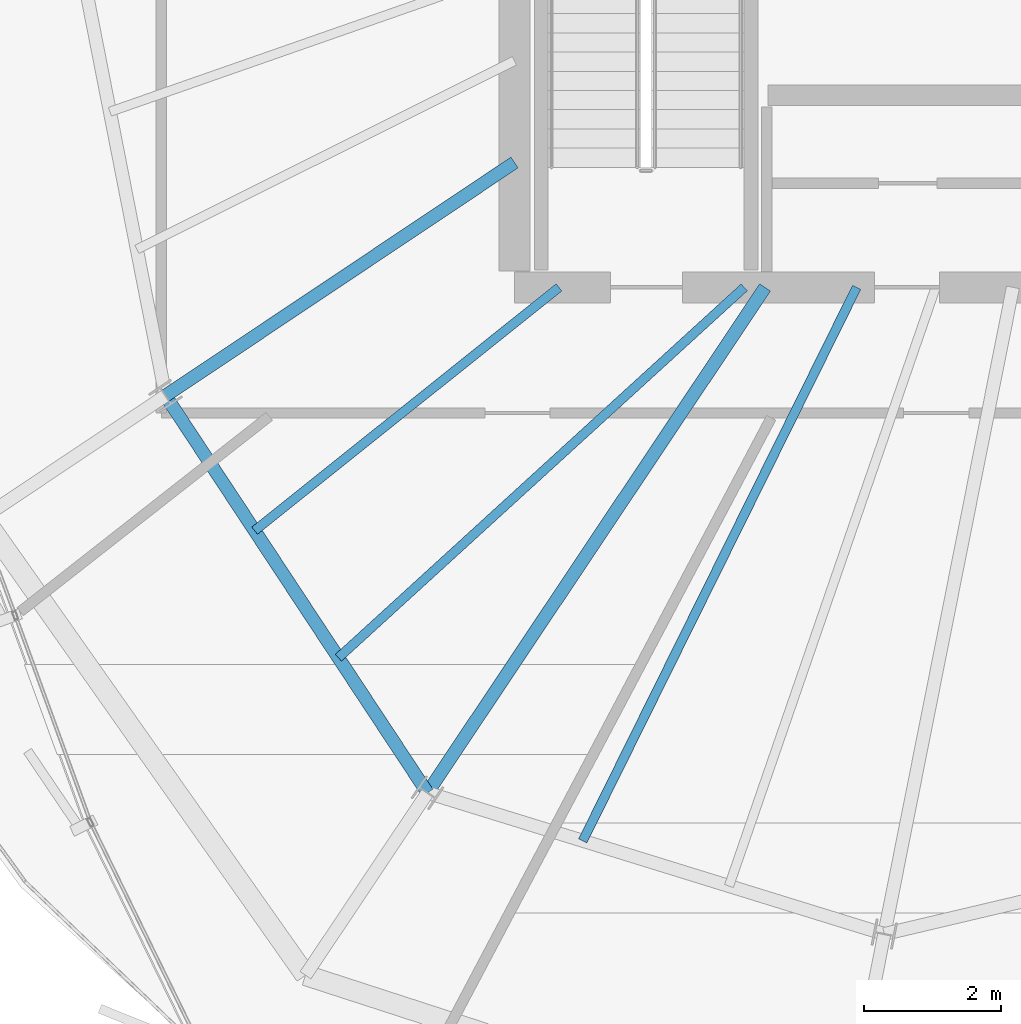
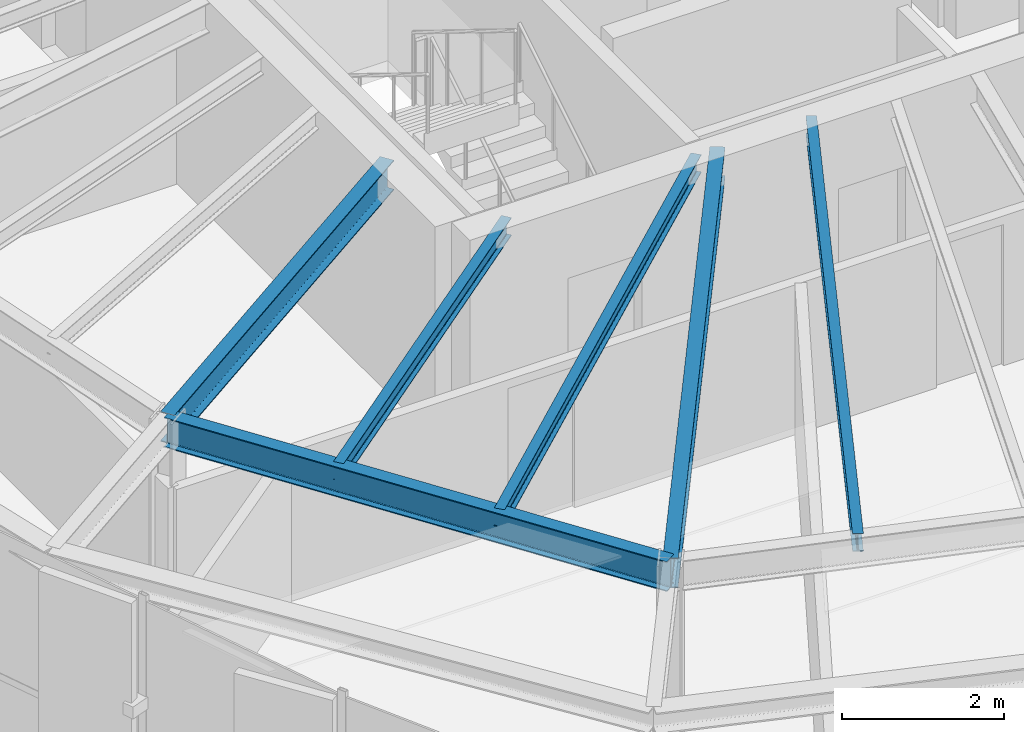
# One storey, part 5 of 32: 6 beams.
"""IFC4 building model written with IfcOpenShell, lengths in metres."""

from ifc_helpers import new_model, si_unit, direction, frame, origin, origin_2d, place, context, subcontext, project, spatial, i_section, extrude, source, transform, mapped, material, material_profile, profile_set, type_object, element, save


model = new_model("IFC4")

# Units and contexts
model_context = context("Model", 3, precision=1e-05, world=origin(), true_north=direction((0.0, 1.0)))
body_context = subcontext(model_context, "Body", "Model", "MODEL_VIEW")
ifc_project = project(units=[si_unit("LENGTHUNIT", "METRE"), si_unit("AREAUNIT", "SQUARE_METRE"), si_unit("VOLUMEUNIT", "CUBIC_METRE"), si_unit("PLANEANGLEUNIT", "RADIAN"), si_unit("MASSUNIT", "GRAM", prefix="KILO"), si_unit("THERMODYNAMICTEMPERATUREUNIT", "KELVIN")], contexts=[model_context])

# Site, building, storey
site_placement = place(None, origin())
site = spatial("IfcSite", under=ifc_project, at=site_placement, CompositionType="ELEMENT")
building_placement = place(site_placement, origin())
building = spatial("IfcBuilding", under=site, at=building_placement, Name="Kethvar Cultural Tower", CompositionType="ELEMENT")
storey_placement = place(building_placement, frame((0.0, 0.0, 252.550048828125)))
storey = spatial("IfcBuildingStorey", under=building, at=storey_placement, Name="L66", CompositionType="ELEMENT", Elevation=252.550048828125)

# Beams
ifc_material = material(Name="Steel S355J2", Category="steel")
ifc_material_profile_1 = material_profile(ifc_material, i_section(OverallWidth=0.18994140625, OverallDepth=0.449951171875, WebThickness=0.009521484375, FlangeThickness=0.0146484375, FilletRadius=0.02099609375, at=origin_2d()), Name="Steel S355J2 — IPE450")
ifc_profile_set_1 = profile_set([ifc_material_profile_1], Name="Steel S355J2 — IPE450")
beam_type_1 = type_object("IfcBeamType", Name="BM-IPE450", PredefinedType="BEAM", material=ifc_profile_set_1)
shared_shape_1 = source(origin(), body_context, "Body", "SweptSolid", [
    extrude(i_section(OverallWidth=0.18994140625, OverallDepth=0.449951171875, WebThickness=0.009521484375, FlangeThickness=0.0146484375, FilletRadius=0.02099609375, at=origin_2d()), origin(), (0.0, 0.0, 1.0), 6.118408203125),
])
beam_1_placement = place(storey_placement, frame((38.0, 21.920166015625, 2.98291015625), z_axis=(-0.831466631282, -0.555574694406, 0.0), x_axis=(0.555574694406, -0.831466631282, 0.0)))
element("IfcBeam", 1, at=beam_1_placement, inside=storey, type_object=beam_type_1, Name="L66 Primary Radial Beam RB-10", PredefinedType="BEAM", context=body_context, shape_type="MappedRepresentation", body=[
    mapped(shared_shape_1, transform((0.0, 0.0, 0.0), scale=1.0)),
])
shared_shape_2 = source(origin(), body_context, "Body", "SweptSolid", [
    extrude(i_section(OverallWidth=0.18994140625, OverallDepth=0.449951171875, WebThickness=0.009521484375, FlangeThickness=0.0146484375, FilletRadius=0.02099609375, at=origin_2d()), origin(), (0.0, 0.0, 1.0), 8.86279296875),
])
beam_2_placement = place(storey_placement, frame((41.655029296875, 20.10009765625, 2.98291015625), z_axis=(-0.555564443415, -0.831473480764, 0.0), x_axis=(0.831473480764, -0.555564443415, 0.0)))
element("IfcBeam", 2, at=beam_2_placement, inside=storey, type_object=beam_type_1, Name="L66 Primary Radial Beam RB-11", PredefinedType="BEAM", context=body_context, shape_type="MappedRepresentation", body=[
    mapped(shared_shape_2, transform((0.0, 0.0, 0.0), scale=1.0)),
])
shared_shape_3 = source(origin(), body_context, "Body", "SweptSolid", [
    extrude(i_section(OverallWidth=0.18994140625, OverallDepth=0.449951171875, WebThickness=0.009521484375, FlangeThickness=0.0146484375, FilletRadius=0.02099609375, at=origin_2d()), origin(), (0.0, 0.0, 1.0), 6.935791015625),
])
beam_3_placement = place(storey_placement, frame((32.912841796875, 18.52099609375, 2.98291015625), z_axis=(0.550534204139, -0.834812607759, 0.0), x_axis=(0.834812607759, 0.550534204139, 0.0)))
element("IfcBeam", 3, at=beam_3_placement, inside=storey, type_object=beam_type_1, Name="L66 Column Ring Tie Beam CR-10", PredefinedType="BEAM", context=body_context, shape_type="MappedRepresentation", body=[
    mapped(shared_shape_3, transform((0.0, 0.0, 0.0), scale=1.0)),
])
ifc_material_profile_2 = material_profile(ifc_material, i_section(OverallWidth=0.135009765625, OverallDepth=0.27001953125, WebThickness=0.006591796875, FlangeThickness=0.01025390625, FilletRadius=0.014892578125, at=origin_2d()), Name="Steel S355J2 — IPE270")
ifc_profile_set_2 = profile_set([ifc_material_profile_2], Name="Steel S355J2 — IPE270")
beam_type_2 = type_object("IfcBeamType", Name="BM-J270", PredefinedType="JOIST", material=ifc_profile_set_2)
shared_shape_4 = source(origin(), body_context, "Body", "SweptSolid", [
    extrude(i_section(OverallWidth=0.135009765625, OverallDepth=0.27001953125, WebThickness=0.006591796875, FlangeThickness=0.01025390625, FilletRadius=0.014892578125, at=origin_2d()), origin(), (0.0, 0.0, 1.0), 5.68212890625),
])
beam_4_placement = place(storey_placement, frame((38.64990234375, 20.10009765625, 3.072998046875), z_axis=(-0.781157957733, -0.624333440615, 0.0), x_axis=(0.624333440615, -0.781157957733, 0.0)))
element("IfcBeam", 4, at=beam_4_placement, inside=storey, type_object=beam_type_2, Name="L66 Composite Floor Joist J-10A", PredefinedType="JOIST", context=body_context, shape_type="MappedRepresentation", body=[
    mapped(shared_shape_4, transform((0.0, 0.0, 0.0), scale=1.0)),
])
shared_shape_5 = source(origin(), body_context, "Body", "SweptSolid", [
    extrude(i_section(OverallWidth=0.135009765625, OverallDepth=0.27001953125, WebThickness=0.006591796875, FlangeThickness=0.01025390625, FilletRadius=0.014892578125, at=origin_2d()), origin(), (0.0, 0.0, 1.0), 8.010986328125),
])
beam_5_placement = place(storey_placement, frame((41.35009765625, 20.10009765625, 3.072998046875), z_axis=(-0.738614798856, -0.674127717061, 0.0), x_axis=(0.674127717061, -0.738614798856, 0.0)))
element("IfcBeam", 5, at=beam_5_placement, inside=storey, type_object=beam_type_2, Name="L66 Composite Floor Joist J-10B", PredefinedType="JOIST", context=body_context, shape_type="MappedRepresentation", body=[
    mapped(shared_shape_5, transform((0.0, 0.0, 0.0), scale=1.0)),
])
shared_shape_6 = source(origin(), body_context, "Body", "SweptSolid", [
    extrude(i_section(OverallWidth=0.135009765625, OverallDepth=0.27001953125, WebThickness=0.006591796875, FlangeThickness=0.01025390625, FilletRadius=0.014892578125, at=origin_2d()), origin(), (0.0, 0.0, 1.0), 9.00341796875),
])
beam_6_placement = place(storey_placement, frame((42.989501953125, 20.10009765625, 3.072998046875), z_axis=(-0.443543695319, -0.896252749141, 0.0), x_axis=(0.896252749141, -0.443543695319, 0.0)))
element("IfcBeam", 6, at=beam_6_placement, inside=storey, type_object=beam_type_2, Name="L66 Composite Floor Joist J-11A", PredefinedType="JOIST", context=body_context, shape_type="MappedRepresentation", body=[
    mapped(shared_shape_6, transform((0.0, 0.0, 0.0), scale=1.0)),
])

save(model, "model.ifc")
